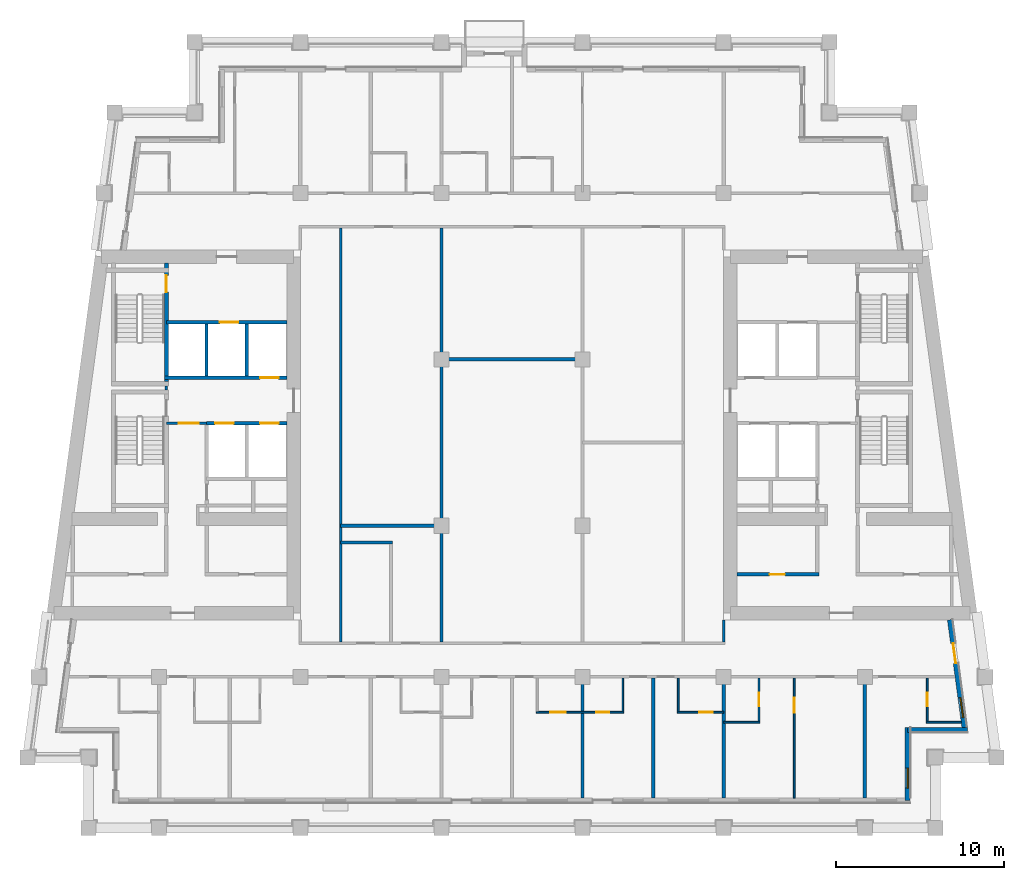
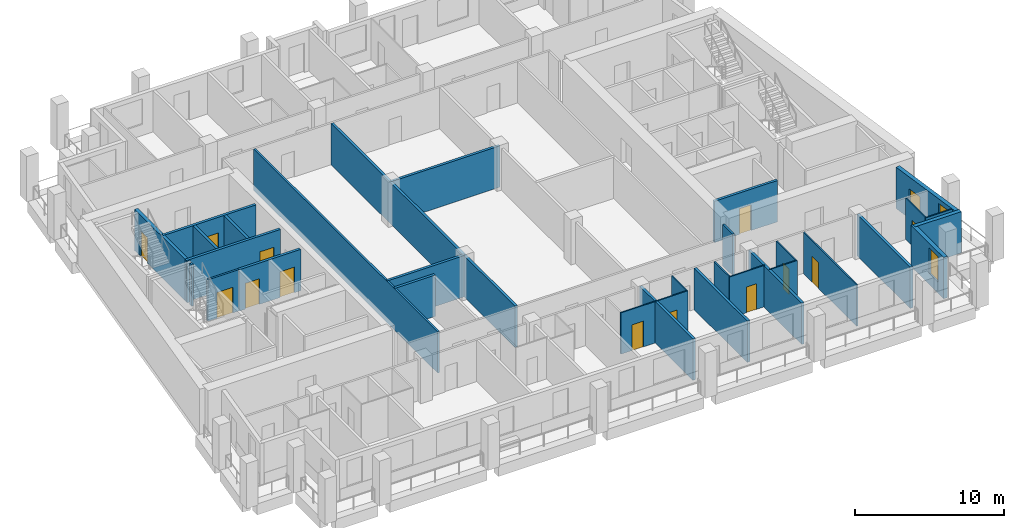
# One storey, part 4 of 12: 31 walls, 14 doors, 2 windows, 16 openings.
"""IFC4 building model written with IfcOpenShell, lengths in metres."""

from ifc_helpers import new_model, si_unit, direction, frame, frame_2d, origin, place, context, subcontext, project, spatial, rectangle, extrude, material, layer, layer_set, type_object, element, fill, save


model = new_model("IFC4")

# Units and contexts
model_context = context("Model", 3, precision=1e-05, world=origin(), true_north=direction((0.0, 1.0)))
body_context = subcontext(model_context, "Body", "Model", "MODEL_VIEW")
ifc_project = project(units=[si_unit("LENGTHUNIT", "METRE"), si_unit("AREAUNIT", "SQUARE_METRE"), si_unit("VOLUMEUNIT", "CUBIC_METRE"), si_unit("PLANEANGLEUNIT", "RADIAN"), si_unit("MASSUNIT", "GRAM", prefix="KILO")], contexts=[model_context])

# Site, building, storey
site_placement = place(None, origin())
site = spatial("IfcSite", under=ifc_project, at=site_placement, CompositionType="ELEMENT")
building_placement = place(site_placement, origin())
building = spatial("IfcBuilding", under=site, at=building_placement, Name="Candeia Pilgrim Tower and Theatre", CompositionType="ELEMENT")
storey_placement = place(building_placement, frame((0.0, 0.0, 217.0)))
storey = spatial("IfcBuildingStorey", under=building, at=storey_placement, Name="L52", CompositionType="ELEMENT", Elevation=217.0)

# Wall, opening, window
ifc_material_1 = material(Name="Ceramic block masonry", Category="masonry")
ifc_layer_1 = layer(ifc_material_1, 0.300048828125)
ifc_layer_set_1 = layer_set([ifc_layer_1], Name="EW1 glazing-line wall 300")
wall_type_1 = type_object("IfcWallType", Name="EW1 glazing-line wall 300", PredefinedType="SOLIDWALL", material=ifc_layer_set_1)
wall_1_placement = place(storey_placement, frame((136.949951171875, 99.64990234375, 0.0), z_axis=(0.0, 0.0, 1.0), x_axis=(0.0, 1.0, 0.0)))
wall_1 = element("IfcWall", 1, at=wall_1_placement, inside=storey, type_object=wall_type_1, Name="External wall L52-1.0", PredefinedType="SOLIDWALL", context=body_context, shape_type="SweptSolid", body=[
    extrude(rectangle(XDim=4.35009765625, YDim=0.300048828125, at=frame_2d((2.175048828125, 0.0))), origin(), (0.0, 0.0, 1.0), 3.3798828125),
])
opening_1_placement = place(wall_1_placement, frame((0.72509765625, 0.0, 0.89990234375)))
opening_1 = element("IfcOpeningElement", 2, at=opening_1_placement, cuts=wall_1, Name="Opening W-B", PredefinedType="OPENING", context=body_context, shape_type="SweptSolid", body=[
    extrude(rectangle(XDim=1.199951171875, YDim=2.10009765625, at=frame_2d((0.60009765625, 1.050048828125))), frame((0.0, 0.16015625, 0.0), z_axis=(0.0, -1.0, 0.0), x_axis=(1.0, 0.0, 0.0)), (0.0, 0.0, 1.0), 0.320068359375),
])
ifc_material_2 = material(Name="Aluminium framed double glazing", Category="aluminium")
window_type = type_object("IfcWindowType", Name="W-B window 1200x2100", PartitioningType="SINGLE_PANEL", PredefinedType="WINDOW", material=ifc_material_2)
window_1_placement = place(opening_1_placement, origin())
window_1 = element("IfcWindow", 3, at=window_1_placement, inside=storey, type_object=window_type, Name="Window W-B L52", OverallHeight=2.10009765625, OverallWidth=1.199951171875, PartitioningType="SINGLE_PANEL", PredefinedType="WINDOW", context=body_context, shape_type="SweptSolid", body=[
    extrude(rectangle(XDim=1.199951171875, YDim=2.10009765625, at=frame_2d((0.60009765625, 1.050048828125))), frame((0.0, 0.030029296875, 0.0), z_axis=(0.0, -1.0, 0.0), x_axis=(1.0, 0.0, 0.0)), (0.0, 0.0, 1.0), 0.06005859375),
])
fill(opening_1, window_1)

# Wall
wall_2_placement = place(storey_placement, frame((136.949951171875, 103.85009765625, 0.0), z_axis=(0.0, 0.0, 1.0), x_axis=(1.0, 0.0, 0.0)))
element("IfcWall", 4, at=wall_2_placement, inside=storey, type_object=wall_type_1, Name="External wall L52-2.0", PredefinedType="SOLIDWALL", context=body_context, shape_type="SweptSolid", body=[
    extrude(rectangle(XDim=3.569091796875, YDim=0.300048828125, at=frame_2d((1.78466796875, 0.0))), origin(), (0.0, 0.0, 1.0), 3.3798828125),
])

# Wall, openings, door, window
wall_3_placement = place(storey_placement, frame((140.34765625, 103.85009765625, 0.0), z_axis=(0.0, 0.0, 1.0), x_axis=(-0.133431549479, 0.991058031401, 0.0)))
wall_3 = element("IfcWall", 5, at=wall_3_placement, inside=storey, type_object=wall_type_1, Name="External wall L52-3.0", PredefinedType="SOLIDWALL", context=body_context, shape_type="SweptSolid", body=[
    extrude(rectangle(XDim=6.60888671875, YDim=0.300048828125, at=frame_2d((3.304443359375, 0.0))), origin(), (0.0, 0.0, 1.0), 3.3798828125),
])
opening_2_placement = place(wall_3_placement, frame((0.736572265625, 0.0, 0.89990234375)))
opening_2 = element("IfcOpeningElement", 6, at=opening_2_placement, cuts=wall_3, Name="Opening W-B", PredefinedType="OPENING", context=body_context, shape_type="SweptSolid", body=[
    extrude(rectangle(XDim=1.199951171875, YDim=2.10009765625, at=frame_2d((0.60009765625, 1.050048828125))), frame((0.0, 0.16015625, 0.0), z_axis=(0.0, -1.0, 0.0), x_axis=(1.0, 0.0, 0.0)), (0.0, 0.0, 1.0), 0.320068359375),
])
opening_3_placement = place(wall_3_placement, frame((3.990966796875, 0.0, 0.0)))
opening_3 = element("IfcOpeningElement", 7, at=opening_3_placement, cuts=wall_3, Name="Opening L52-ED495", PredefinedType="OPENING", context=body_context, shape_type="SweptSolid", body=[
    extrude(rectangle(XDim=1.199951171875, YDim=2.39990234375, at=frame_2d((0.60009765625, 1.199951171875))), frame((0.0, 0.16015625, 0.0), z_axis=(0.0, -1.0, 0.0), x_axis=(1.0, 0.0, 0.0)), (0.0, 0.0, 1.0), 0.320068359375),
])
ifc_material_3 = material(Name="Aluminium framed glazed door", Category="aluminium")
door_type_1 = type_object("IfcDoorType", Name="Loggia door 1200x2400", OperationType="DOUBLE_DOOR_SINGLE_SWING", PredefinedType="DOOR", material=ifc_material_3)
door_1_placement = place(opening_3_placement, origin())
door_1 = element("IfcDoor", 8, at=door_1_placement, inside=storey, type_object=door_type_1, Name="Loggia door L52-ED495", OperationType="DOUBLE_DOOR_SINGLE_SWING", OverallHeight=2.39990234375, OverallWidth=1.199951171875, PredefinedType="DOOR", context=body_context, shape_type="SweptSolid", body=[
    extrude(rectangle(XDim=1.199951171875, YDim=2.39990234375, at=frame_2d((0.60009765625, 1.199951171875))), frame((0.0, 0.02490234375, 0.0), z_axis=(0.0, -1.0, 0.0), x_axis=(1.0, 0.0, 0.0)), (0.0, 0.0, 1.0), 0.050048828125),
])
fill(opening_3, door_1)
window_2_placement = place(opening_2_placement, origin())
window_2 = element("IfcWindow", 9, at=window_2_placement, inside=storey, type_object=window_type, Name="Window W-B L52", OverallHeight=2.10009765625, OverallWidth=1.199951171875, PartitioningType="SINGLE_PANEL", PredefinedType="WINDOW", context=body_context, shape_type="SweptSolid", body=[
    extrude(rectangle(XDim=1.199951171875, YDim=2.10009765625, at=frame_2d((0.60009765625, 1.050048828125))), frame((0.0, 0.030029296875, 0.0), z_axis=(0.0, -1.0, 0.0), x_axis=(1.0, 0.0, 0.0)), (0.0, 0.0, 1.0), 0.06005859375),
])
fill(opening_2, window_2)

# Walls
ifc_material_4 = material(Name="Gypsum board partition on steel studs", Category="steel")
ifc_layer_2 = layer(ifc_material_4, 0.10009765625)
ifc_layer_set_2 = layer_set([ifc_layer_2], Name="PW-100 room partition")
wall_type_2 = type_object("IfcWallType", Name="PW-100 room partition", PredefinedType="PARTITIONING", material=ifc_layer_set_2)
wall_4_placement = place(storey_placement, frame((126.0, 104.300048828125, 0.0), z_axis=(0.0, 0.0, 1.0), x_axis=(1.0, 0.0, 0.0)))
element("IfcWall", 10, at=wall_4_placement, inside=storey, type_object=wall_type_2, Name="Room partition L52-002", PredefinedType="PARTITIONING", context=body_context, shape_type="SweptSolid", body=[
    extrude(rectangle(XDim=2.14990234375, YDim=0.10009765625, at=frame_2d((1.074951171875, 0.0))), origin(), (0.0, 0.0, 1.0), 3.3798828125),
])
wall_5_placement = place(storey_placement, frame((138.070068359375, 104.300048828125, 0.0), z_axis=(0.0, 0.0, 1.0), x_axis=(1.0, 0.0, 0.0)))
element("IfcWall", 11, at=wall_5_placement, inside=storey, type_object=wall_type_2, Name="Room partition L52-003", PredefinedType="PARTITIONING", context=body_context, shape_type="SweptSolid", body=[
    extrude(rectangle(XDim=2.07568359375, YDim=0.10009765625, at=frame_2d((1.037841796875, 0.0))), origin(), (0.0, 0.0, 1.0), 3.3798828125),
])

# Wall, openings, doors
wall_6_placement = place(storey_placement, frame((114.85009765625, 104.89990234375, 0.0), z_axis=(0.0, 0.0, 1.0), x_axis=(1.0, 0.0, 0.0)))
wall_6 = element("IfcWall", 12, at=wall_6_placement, inside=storey, type_object=wall_type_2, Name="Room partition L52-007", PredefinedType="PARTITIONING", context=body_context, shape_type="SweptSolid", body=[
    extrude(rectangle(XDim=5.199951171875, YDim=0.10009765625, at=frame_2d((2.60009765625, 0.0))), origin(), (0.0, 0.0, 1.0), 3.3798828125),
])
opening_4_placement = place(wall_6_placement, frame((0.840087890625, 0.0, 0.0)))
opening_4 = element("IfcOpeningElement", 13, at=opening_4_placement, cuts=wall_6, Name="Opening L52-D024", PredefinedType="OPENING", context=body_context, shape_type="SweptSolid", body=[
    extrude(rectangle(XDim=0.89990234375, YDim=2.10009765625, at=frame_2d((0.449951171875, 1.050048828125))), frame((0.0, 0.06005859375, 0.0), z_axis=(0.0, -1.0, 0.0), x_axis=(1.0, 0.0, 0.0)), (0.0, 0.0, 1.0), 0.1201171875),
])
opening_5_placement = place(wall_6_placement, frame((3.550048828125, 0.0, 0.0)))
opening_5 = element("IfcOpeningElement", 14, at=opening_5_placement, cuts=wall_6, Name="Opening L52-D026", PredefinedType="OPENING", context=body_context, shape_type="SweptSolid", body=[
    extrude(rectangle(XDim=0.800048828125, YDim=2.10009765625, at=frame_2d((0.39990234375, 1.050048828125))), frame((0.0, 0.06005859375, 0.0), z_axis=(0.0, -1.0, 0.0), x_axis=(1.0, 0.0, 0.0)), (0.0, 0.0, 1.0), 0.1201171875),
])
ifc_material_5 = material(Name="Timber door leaf", Category="wood")
door_type_2 = type_object("IfcDoorType", Name="D-800", OperationType="NOTDEFINED", PredefinedType="DOOR", material=ifc_material_5)
door_2_placement = place(opening_5_placement, origin())
door_2 = element("IfcDoor", 15, at=door_2_placement, inside=storey, type_object=door_type_2, Name="Door L52-D026", OperationType="SINGLE_SWING_RIGHT", OverallHeight=2.10009765625, OverallWidth=0.800048828125, PredefinedType="DOOR", context=body_context, shape_type="SweptSolid", body=[
    extrude(rectangle(XDim=0.800048828125, YDim=2.10009765625, at=frame_2d((0.39990234375, 1.050048828125))), frame((0.0, 0.02490234375, 0.0), z_axis=(0.0, -1.0, 0.0), x_axis=(1.0, 0.0, 0.0)), (0.0, 0.0, 1.0), 0.050048828125),
])
fill(opening_5, door_2)
door_type_3 = type_object("IfcDoorType", Name="D-900", OperationType="NOTDEFINED", PredefinedType="DOOR", material=ifc_material_5)
door_3_placement = place(opening_4_placement, origin())
door_3 = element("IfcDoor", 16, at=door_3_placement, inside=storey, type_object=door_type_3, Name="Door L52-D024", OperationType="SINGLE_SWING_RIGHT", OverallHeight=2.10009765625, OverallWidth=0.89990234375, PredefinedType="DOOR", context=body_context, shape_type="SweptSolid", body=[
    extrude(rectangle(XDim=0.89990234375, YDim=2.10009765625, at=frame_2d((0.449951171875, 1.050048828125))), frame((0.0, 0.02490234375, 0.0), z_axis=(0.0, -1.0, 0.0), x_axis=(1.0, 0.0, 0.0)), (0.0, 0.0, 1.0), 0.050048828125),
])
fill(opening_4, door_3)

# Wall, opening, door
wall_7_placement = place(storey_placement, frame((123.25, 104.89990234375, 0.0), z_axis=(0.0, 0.0, 1.0), x_axis=(1.0, 0.0, 0.0)))
wall_7 = element("IfcWall", 17, at=wall_7_placement, inside=storey, type_object=wall_type_2, Name="Room partition L52-008", PredefinedType="PARTITIONING", context=body_context, shape_type="SweptSolid", body=[
    extrude(rectangle(XDim=2.75, YDim=0.10009765625, at=frame_2d((1.375, 0.0))), origin(), (0.0, 0.0, 1.0), 3.3798828125),
])
opening_6_placement = place(wall_7_placement, frame((1.300048828125, 0.0, 0.0)))
opening_6 = element("IfcOpeningElement", 18, at=opening_6_placement, cuts=wall_7, Name="Opening L52-D028", PredefinedType="OPENING", context=body_context, shape_type="SweptSolid", body=[
    extrude(rectangle(XDim=0.800048828125, YDim=2.10009765625, at=frame_2d((0.39990234375, 1.050048828125))), frame((0.0, 0.06005859375, 0.0), z_axis=(0.0, -1.0, 0.0), x_axis=(1.0, 0.0, 0.0)), (0.0, 0.0, 1.0), 0.1201171875),
])
door_4_placement = place(opening_6_placement, origin())
door_4 = element("IfcDoor", 19, at=door_4_placement, inside=storey, type_object=door_type_2, Name="Door L52-D028", OperationType="SINGLE_SWING_RIGHT", OverallHeight=2.10009765625, OverallWidth=0.800048828125, PredefinedType="DOOR", context=body_context, shape_type="SweptSolid", body=[
    extrude(rectangle(XDim=0.800048828125, YDim=2.10009765625, at=frame_2d((0.39990234375, 1.050048828125))), frame((0.0, 0.02490234375, 0.0), z_axis=(0.0, -1.0, 0.0), x_axis=(1.0, 0.0, 0.0)), (0.0, 0.0, 1.0), 0.050048828125),
])
fill(opening_6, door_4)

# Walls
for number, where, z_axis, x_axis, name in (
    (20, (120.0, 104.949951171875, 0.0), (0.0, 0.0, 1.0), (0.0, 1.0, 0.0), "Room partition L52-093"),
    (21, (123.300048828125, 104.949951171875, 0.0), (0.0, 0.0, 1.0), (0.0, 1.0, 0.0), "Room partition L52-095"),
):
    element("IfcWall", number, at=place(storey_placement, frame(where, z_axis=z_axis, x_axis=x_axis)), inside=storey, type_object=wall_type_2, Name=name, PredefinedType="PARTITIONING", context=body_context, shape_type="SweptSolid", body=[
        extrude(rectangle(XDim=1.97509765625, YDim=0.10009765625, at=frame_2d((0.987548828125, 0.0))), origin(), (0.0, 0.0, 1.0), 3.3798828125),
    ])

# Wall, opening, door
wall_8_placement = place(storey_placement, frame((128.10009765625, 104.35009765625, 0.0), z_axis=(0.0, 0.0, 1.0), x_axis=(0.0, 1.0, 0.0)))
wall_8 = element("IfcWall", 22, at=wall_8_placement, inside=storey, type_object=wall_type_2, Name="Room partition L52-101", PredefinedType="PARTITIONING", context=body_context, shape_type="SweptSolid", body=[
    extrude(rectangle(XDim=2.574951171875, YDim=0.10009765625, at=frame_2d((1.28759765625, 0.0))), origin(), (0.0, 0.0, 1.0), 3.3798828125),
])
opening_7_placement = place(wall_8_placement, frame((0.89990234375, 0.0, 0.0)))
opening_7 = element("IfcOpeningElement", 23, at=opening_7_placement, cuts=wall_8, Name="Opening L52-D031", PredefinedType="OPENING", context=body_context, shape_type="SweptSolid", body=[
    extrude(rectangle(XDim=0.800048828125, YDim=2.10009765625, at=frame_2d((0.39990234375, 1.050048828125))), frame((0.0, 0.06005859375, 0.0), z_axis=(0.0, -1.0, 0.0), x_axis=(1.0, 0.0, 0.0)), (0.0, 0.0, 1.0), 0.1201171875),
])
door_5_placement = place(opening_7_placement, origin())
door_5 = element("IfcDoor", 24, at=door_5_placement, inside=storey, type_object=door_type_2, Name="Door L52-D031", OperationType="SINGLE_SWING_LEFT", OverallHeight=2.10009765625, OverallWidth=0.800048828125, PredefinedType="DOOR", context=body_context, shape_type="SweptSolid", body=[
    extrude(rectangle(XDim=0.800048828125, YDim=2.10009765625, at=frame_2d((0.39990234375, 1.050048828125))), frame((0.0, 0.02490234375, 0.0), z_axis=(0.0, -1.0, 0.0), x_axis=(1.0, 0.0, 0.0)), (0.0, 0.0, 1.0), 0.050048828125),
])
fill(opening_7, door_5)

wall_9_placement = place(storey_placement, frame((130.199951171875, 99.7900390625, 0.0), z_axis=(0.0, 0.0, 1.0), x_axis=(0.0, 1.0, 0.0)))
wall_9 = element("IfcWall", 25, at=wall_9_placement, inside=storey, type_object=wall_type_2, Name="Room partition L52-105", PredefinedType="PARTITIONING", context=body_context, shape_type="SweptSolid", body=[
    extrude(rectangle(XDim=7.135009765625, YDim=0.10009765625, at=frame_2d((3.5673828125, 0.0))), origin(), (0.0, 0.0, 1.0), 3.3798828125),
])
opening_8_placement = place(wall_9_placement, frame((5.074951171875, 0.0, 0.0)))
opening_8 = element("IfcOpeningElement", 26, at=opening_8_placement, cuts=wall_9, Name="Opening L52-D030", PredefinedType="OPENING", context=body_context, shape_type="SweptSolid", body=[
    extrude(rectangle(XDim=0.89990234375, YDim=2.10009765625, at=frame_2d((0.449951171875, 1.050048828125))), frame((0.0, 0.06005859375, 0.0), z_axis=(0.0, -1.0, 0.0), x_axis=(1.0, 0.0, 0.0)), (0.0, 0.0, 1.0), 0.1201171875),
])
door_6_placement = place(opening_8_placement, origin())
door_6 = element("IfcDoor", 27, at=door_6_placement, inside=storey, type_object=door_type_3, Name="Door L52-D030", OperationType="SINGLE_SWING_RIGHT", OverallHeight=2.10009765625, OverallWidth=0.89990234375, PredefinedType="DOOR", context=body_context, shape_type="SweptSolid", body=[
    extrude(rectangle(XDim=0.89990234375, YDim=2.10009765625, at=frame_2d((0.449951171875, 1.050048828125))), frame((0.0, 0.02490234375, 0.0), z_axis=(0.0, -1.0, 0.0), x_axis=(1.0, 0.0, 0.0)), (0.0, 0.0, 1.0), 0.050048828125),
])
fill(opening_8, door_6)

wall_10_placement = place(storey_placement, frame((138.1201171875, 104.35009765625, 0.0), z_axis=(0.0, 0.0, 1.0), x_axis=(0.0, 1.0, 0.0)))
wall_10 = element("IfcWall", 28, at=wall_10_placement, inside=storey, type_object=wall_type_2, Name="Room partition L52-118", PredefinedType="PARTITIONING", context=body_context, shape_type="SweptSolid", body=[
    extrude(rectangle(XDim=2.574951171875, YDim=0.10009765625, at=frame_2d((1.28759765625, 0.0))), origin(), (0.0, 0.0, 1.0), 3.3798828125),
])
opening_9_placement = place(wall_10_placement, frame((0.89990234375, 0.0, 0.0)))
opening_9 = element("IfcOpeningElement", 29, at=opening_9_placement, cuts=wall_10, Name="Opening L52-D033", PredefinedType="OPENING", context=body_context, shape_type="SweptSolid", body=[
    extrude(rectangle(XDim=0.800048828125, YDim=2.10009765625, at=frame_2d((0.39990234375, 1.050048828125))), frame((0.0, 0.06005859375, 0.0), z_axis=(0.0, -1.0, 0.0), x_axis=(1.0, 0.0, 0.0)), (0.0, 0.0, 1.0), 0.1201171875),
])
door_7_placement = place(opening_9_placement, origin())
door_7 = element("IfcDoor", 30, at=door_7_placement, inside=storey, type_object=door_type_2, Name="Door L52-D033", OperationType="SINGLE_SWING_LEFT", OverallHeight=2.10009765625, OverallWidth=0.800048828125, PredefinedType="DOOR", context=body_context, shape_type="SweptSolid", body=[
    extrude(rectangle(XDim=0.800048828125, YDim=2.10009765625, at=frame_2d((0.39990234375, 1.050048828125))), frame((0.0, 0.02490234375, 0.0), z_axis=(0.0, -1.0, 0.0), x_axis=(1.0, 0.0, 0.0)), (0.0, 0.0, 1.0), 0.050048828125),
])
fill(opening_9, door_7)

ifc_layer_3 = layer(ifc_material_4, 0.14990234375)
ifc_layer_set_3 = layer_set([ifc_layer_3], Name="PW-150 lobby wall")
wall_type_3 = type_object("IfcWallType", Name="PW-150 lobby wall", PredefinedType="PARTITIONING", material=ifc_layer_set_3)
wall_11_placement = place(storey_placement, frame((92.826904296875, 122.10009765625, 0.0), z_axis=(0.0, 0.0, 1.0), x_axis=(1.0, 0.0, 0.0)))
wall_11 = element("IfcWall", 31, at=wall_11_placement, inside=storey, type_object=wall_type_3, Name="Lobby wall L52-028", PredefinedType="PARTITIONING", context=body_context, shape_type="SweptSolid", body=[
    extrude(rectangle(XDim=2.400146484375, YDim=0.14990234375, at=frame_2d((1.2001953125, 0.0))), origin(), (0.0, 0.0, 1.0), 3.3798828125),
])
opening_10_placement = place(wall_11_placement, frame((0.72509765625, 0.0, 0.0)))
opening_10 = element("IfcOpeningElement", 32, at=opening_10_placement, cuts=wall_11, Name="Opening L52-D001", PredefinedType="OPENING", context=body_context, shape_type="SweptSolid", body=[
    extrude(rectangle(XDim=1.199951171875, YDim=2.10009765625, at=frame_2d((0.60009765625, 1.050048828125))), frame((0.0, 0.0849609375, 0.0), z_axis=(0.0, -1.0, 0.0), x_axis=(1.0, 0.0, 0.0)), (0.0, 0.0, 1.0), 0.169921875),
])
ifc_material_6 = material(Name="Steel fire door set", Category="steel")
door_type_4 = type_object("IfcDoorType", Name="D-1200-FD60", OperationType="NOTDEFINED", PredefinedType="DOOR", material=ifc_material_6)
door_8_placement = place(opening_10_placement, origin())
door_8 = element("IfcDoor", 33, at=door_8_placement, inside=storey, type_object=door_type_4, Name="Door L52-D001", OperationType="SINGLE_SWING_LEFT", OverallHeight=2.10009765625, OverallWidth=1.199951171875, PredefinedType="DOOR", context=body_context, shape_type="SweptSolid", body=[
    extrude(rectangle(XDim=1.199951171875, YDim=2.10009765625, at=frame_2d((0.60009765625, 1.050048828125))), frame((0.0, 0.02490234375, 0.0), z_axis=(0.0, -1.0, 0.0), x_axis=(1.0, 0.0, 0.0)), (0.0, 0.0, 1.0), 0.050048828125),
])
fill(opening_10, door_8)

# Walls
wall_12_placement = place(storey_placement, frame((92.826904296875, 124.074951171875, 0.0), z_axis=(0.0, 0.0, 1.0), x_axis=(0.0, 1.0, 0.0)))
element("IfcWall", 34, at=wall_12_placement, inside=storey, type_object=wall_type_3, Name="Lobby wall L52-057", PredefinedType="PARTITIONING", context=body_context, shape_type="SweptSolid", body=[
    extrude(rectangle(XDim=0.25, YDim=0.14990234375, at=frame_2d((0.125, 0.0))), origin(), (0.0, 0.0, 1.0), 3.3798828125),
])
ifc_layer_4 = layer(ifc_material_4, 0.14990234375)
ifc_layer_set_4 = layer_set([ifc_layer_4], Name="PW-150 unit wall")
wall_type_4 = type_object("IfcWallType", Name="PW-150 unit wall", PredefinedType="PARTITIONING", material=ifc_layer_set_4)
wall_13_placement = place(storey_placement, frame((103.199951171875, 109.074951171875, 0.0), z_axis=(0.0, 0.0, 1.0), x_axis=(0.0, 1.0, 0.0)))
element("IfcWall", 35, at=wall_13_placement, inside=storey, type_object=wall_type_4, Name="Unit wall L52-075", PredefinedType="PARTITIONING", context=body_context, shape_type="SweptSolid", body=[
    extrude(rectangle(XDim=24.650146484375, YDim=0.14990234375, at=frame_2d((12.3251953125, 0.0))), origin(), (0.0, 0.0, 1.0), 3.3798828125),
])
wall_14_placement = place(storey_placement, frame((126.0, 109.074951171875, 0.0), z_axis=(0.0, 0.0, 1.0), x_axis=(0.0, 1.0, 0.0)))
element("IfcWall", 36, at=wall_14_placement, inside=storey, type_object=wall_type_4, Name="Unit wall L52-099", PredefinedType="PARTITIONING", context=body_context, shape_type="SweptSolid", body=[
    extrude(rectangle(XDim=1.324951171875, YDim=0.14990234375, at=frame_2d((0.66259765625, 0.0))), origin(), (0.0, 0.0, 1.0), 3.3798828125),
])
ifc_layer_5 = layer(ifc_material_4, 0.199951171875)
ifc_layer_set_5 = layer_set([ifc_layer_5], Name="PW-200 party wall")
wall_type_5 = type_object("IfcWallType", Name="PW-200 party wall", PredefinedType="PARTITIONING", material=ifc_layer_set_5)
wall_15_placement = place(storey_placement, frame((103.199951171875, 115.0, 0.0), z_axis=(0.0, 0.0, 1.0), x_axis=(1.0, 0.0, 0.0)))
element("IfcWall", 37, at=wall_15_placement, inside=storey, type_object=wall_type_5, Name="Party wall L52-015", PredefinedType="PARTITIONING", context=body_context, shape_type="SweptSolid", body=[
    extrude(rectangle(XDim=3.10009765625, YDim=0.199951171875, at=frame_2d((1.550048828125, 0.0))), origin(), (0.0, 0.0, 1.0), 3.3798828125),
])
wall_16_placement = place(storey_placement, frame((103.199951171875, 116.0, 0.0), z_axis=(0.0, 0.0, 1.0), x_axis=(1.0, 0.0, 0.0)))
element("IfcWall", 38, at=wall_16_placement, inside=storey, type_object=wall_type_5, Name="Party wall L52-016", PredefinedType="PARTITIONING", context=body_context, shape_type="SweptSolid", body=[
    extrude(rectangle(XDim=6.0, YDim=0.199951171875, at=frame_2d((3.0, 0.0))), origin(), (0.0, 0.0, 1.0), 3.3798828125),
])
wall_17_placement = place(storey_placement, frame((109.199951171875, 125.89990234375, 0.0), z_axis=(0.0, 0.0, 1.0), x_axis=(1.0, 0.0, 0.0)))
element("IfcWall", 39, at=wall_17_placement, inside=storey, type_object=wall_type_5, Name="Party wall L52-037", PredefinedType="PARTITIONING", context=body_context, shape_type="SweptSolid", body=[
    extrude(rectangle(XDim=8.400146484375, YDim=0.199951171875, at=frame_2d((4.2001953125, 0.0))), origin(), (0.0, 0.0, 1.0), 3.3798828125),
])
wall_18_placement = place(storey_placement, frame((109.199951171875, 109.074951171875, 0.0), z_axis=(0.0, 0.0, 1.0), x_axis=(0.0, 1.0, 0.0)))
element("IfcWall", 40, at=wall_18_placement, inside=storey, type_object=wall_type_5, Name="Party wall L52-082", PredefinedType="PARTITIONING", context=body_context, shape_type="SweptSolid", body=[
    extrude(rectangle(XDim=24.650146484375, YDim=0.199951171875, at=frame_2d((12.3251953125, 0.0))), origin(), (0.0, 0.0, 1.0), 3.3798828125),
])
for number, where, z_axis, x_axis, name in (
    (41, (117.60009765625, 99.7900390625, 0.0), (0.0, 0.0, 1.0), (0.0, 1.0, 0.0), "Party wall L52-091"),
    (42, (121.800048828125, 99.7900390625, 0.0), (0.0, 0.0, 1.0), (0.0, 1.0, 0.0), "Party wall L52-094"),
    (43, (126.0, 99.7900390625, 0.0), (0.0, 0.0, 1.0), (0.0, 1.0, 0.0), "Party wall L52-097"),
    (44, (134.39990234375, 99.7900390625, 0.0), (0.0, 0.0, 1.0), (0.0, 1.0, 0.0), "Party wall L52-115"),
):
    element("IfcWall", number, at=place(storey_placement, frame(where, z_axis=z_axis, x_axis=x_axis)), inside=storey, type_object=wall_type_5, Name=name, PredefinedType="PARTITIONING", context=body_context, shape_type="SweptSolid", body=[
        extrude(rectangle(XDim=7.135009765625, YDim=0.199951171875, at=frame_2d((3.5673828125, 0.0))), origin(), (0.0, 0.0, 1.0), 3.3798828125),
    ])

# Wall, opening, door
ifc_material_7 = material(Name="Concrete C40/50", Category="concrete")
ifc_layer_6 = layer(ifc_material_7, 0.199951171875)
ifc_layer_set_6 = layer_set([ifc_layer_6], Name="SW-200 shaft wall")
wall_type_6 = type_object("IfcWallType", Name="SW-200 shaft wall", PredefinedType="PARTITIONING", material=ifc_layer_set_6)
wall_19_placement = place(storey_placement, frame((126.800048828125, 113.10009765625, 0.0), z_axis=(0.0, 0.0, 1.0), x_axis=(1.0, 0.0, 0.0)))
wall_19 = element("IfcWall", 45, at=wall_19_placement, inside=storey, type_object=wall_type_6, Name="Shaft wall L52-013", PredefinedType="PARTITIONING", context=body_context, shape_type="SweptSolid", body=[
    extrude(rectangle(XDim=4.873046875, YDim=0.199951171875, at=frame_2d((2.4365234375, 0.0))), origin(), (0.0, 0.0, 1.0), 3.3798828125),
])
opening_11_placement = place(wall_19_placement, frame((1.93603515625, 0.0, 0.0)))
opening_11 = element("IfcOpeningElement", 46, at=opening_11_placement, cuts=wall_19, Name="Opening L52-D012", PredefinedType="OPENING", context=body_context, shape_type="SweptSolid", body=[
    extrude(rectangle(XDim=0.89990234375, YDim=2.10009765625, at=frame_2d((0.449951171875, 1.050048828125))), frame((0.0, 0.10986328125, 0.0), z_axis=(0.0, -1.0, 0.0), x_axis=(1.0, 0.0, 0.0)), (0.0, 0.0, 1.0), 0.219970703125),
])
door_type_5 = type_object("IfcDoorType", Name="D-900-FD60", OperationType="NOTDEFINED", PredefinedType="DOOR", material=ifc_material_6)
door_9_placement = place(opening_11_placement, origin())
door_9 = element("IfcDoor", 47, at=door_9_placement, inside=storey, type_object=door_type_5, Name="Door L52-D012", OperationType="SINGLE_SWING_RIGHT", OverallHeight=2.10009765625, OverallWidth=0.89990234375, PredefinedType="DOOR", context=body_context, shape_type="SweptSolid", body=[
    extrude(rectangle(XDim=0.89990234375, YDim=2.10009765625, at=frame_2d((0.449951171875, 1.050048828125))), frame((0.0, 0.02490234375, 0.0), z_axis=(0.0, -1.0, 0.0), x_axis=(1.0, 0.0, 0.0)), (0.0, 0.0, 1.0), 0.050048828125),
])
fill(opening_11, door_9)

# Wall, openings, doors
wall_20_placement = place(storey_placement, frame((95.22705078125, 122.10009765625, 0.0), z_axis=(0.0, 0.0, 1.0), x_axis=(1.0, 0.0, 0.0)))
wall_20 = element("IfcWall", 48, at=wall_20_placement, inside=storey, type_object=wall_type_6, Name="Shaft wall L52-026", PredefinedType="PARTITIONING", context=body_context, shape_type="SweptSolid", body=[
    extrude(rectangle(XDim=4.77294921875, YDim=0.199951171875, at=frame_2d((2.386474609375, 0.0))), origin(), (0.0, 0.0, 1.0), 3.3798828125),
])
opening_12_placement = place(wall_20_placement, frame((0.4970703125, 0.0, 0.0)))
opening_12 = element("IfcOpeningElement", 49, at=opening_12_placement, cuts=wall_20, Name="Opening L52-LD01", PredefinedType="OPENING", context=body_context, shape_type="SweptSolid", body=[
    extrude(rectangle(XDim=1.10009765625, YDim=2.10009765625, at=frame_2d((0.550048828125, 1.050048828125))), frame((0.0, 0.10986328125, 0.0), z_axis=(0.0, -1.0, 0.0), x_axis=(1.0, 0.0, 0.0)), (0.0, 0.0, 1.0), 0.219970703125),
])
opening_13_placement = place(wall_20_placement, frame((3.176025390625, 0.0, 0.0)))
opening_13 = element("IfcOpeningElement", 50, at=opening_13_placement, cuts=wall_20, Name="Opening L52-LD02", PredefinedType="OPENING", context=body_context, shape_type="SweptSolid", body=[
    extrude(rectangle(XDim=1.10009765625, YDim=2.10009765625, at=frame_2d((0.550048828125, 1.050048828125))), frame((0.0, 0.10986328125, 0.0), z_axis=(0.0, -1.0, 0.0), x_axis=(1.0, 0.0, 0.0)), (0.0, 0.0, 1.0), 0.219970703125),
])
ifc_material_8 = material(Name="Glazed aluminium landing door", Category="aluminium")
door_type_6 = type_object("IfcDoorType", Name="LD-1100-EI120", OperationType="SLIDING_TO_LEFT", PredefinedType="DOOR", material=ifc_material_8)
door_10_placement = place(opening_12_placement, origin())
door_10 = element("IfcDoor", 51, at=door_10_placement, inside=storey, type_object=door_type_6, Name="Landing door 01 L52", OperationType="SLIDING_TO_LEFT", OverallHeight=2.10009765625, OverallWidth=1.10009765625, PredefinedType="DOOR", context=body_context, shape_type="SweptSolid", body=[
    extrude(rectangle(XDim=1.10009765625, YDim=2.10009765625, at=frame_2d((0.550048828125, 1.050048828125))), frame((0.0, 0.02490234375, 0.0), z_axis=(0.0, -1.0, 0.0), x_axis=(1.0, 0.0, 0.0)), (0.0, 0.0, 1.0), 0.050048828125),
])
fill(opening_12, door_10)
door_11_placement = place(opening_13_placement, origin())
door_11 = element("IfcDoor", 52, at=door_11_placement, inside=storey, type_object=door_type_6, Name="Landing door 02 L52", OperationType="SLIDING_TO_LEFT", OverallHeight=2.10009765625, OverallWidth=1.10009765625, PredefinedType="DOOR", context=body_context, shape_type="SweptSolid", body=[
    extrude(rectangle(XDim=1.10009765625, YDim=2.10009765625, at=frame_2d((0.550048828125, 1.050048828125))), frame((0.0, 0.02490234375, 0.0), z_axis=(0.0, -1.0, 0.0), x_axis=(1.0, 0.0, 0.0)), (0.0, 0.0, 1.0), 0.050048828125),
])
fill(opening_13, door_11)

# Wall, opening, door
wall_21_placement = place(storey_placement, frame((92.701904296875, 124.800048828125, 0.0), z_axis=(0.0, 0.0, 1.0), x_axis=(1.0, 0.0, 0.0)))
wall_21 = element("IfcWall", 53, at=wall_21_placement, inside=storey, type_object=wall_type_6, Name="Shaft wall L52-034", PredefinedType="PARTITIONING", context=body_context, shape_type="SweptSolid", body=[
    extrude(rectangle(XDim=7.298095703125, YDim=0.199951171875, at=frame_2d((3.64892578125, 0.0))), origin(), (0.0, 0.0, 1.0), 3.3798828125),
])
opening_14_placement = place(wall_21_placement, frame((5.699951171875, 0.0, 0.0)))
opening_14 = element("IfcOpeningElement", 54, at=opening_14_placement, cuts=wall_21, Name="Opening L52-LD04", PredefinedType="OPENING", context=body_context, shape_type="SweptSolid", body=[
    extrude(rectangle(XDim=1.10009765625, YDim=2.10009765625, at=frame_2d((0.550048828125, 1.050048828125))), frame((0.0, 0.10986328125, 0.0), z_axis=(0.0, -1.0, 0.0), x_axis=(1.0, 0.0, 0.0)), (0.0, 0.0, 1.0), 0.219970703125),
])
door_12_placement = place(opening_14_placement, origin())
door_12 = element("IfcDoor", 55, at=door_12_placement, inside=storey, type_object=door_type_6, Name="Landing door 04 L52", OperationType="SLIDING_TO_LEFT", OverallHeight=2.10009765625, OverallWidth=1.10009765625, PredefinedType="DOOR", context=body_context, shape_type="SweptSolid", body=[
    extrude(rectangle(XDim=1.10009765625, YDim=2.10009765625, at=frame_2d((0.550048828125, 1.050048828125))), frame((0.0, 0.02490234375, 0.0), z_axis=(0.0, -1.0, 0.0), x_axis=(1.0, 0.0, 0.0)), (0.0, 0.0, 1.0), 0.050048828125),
])
fill(opening_14, door_12)

wall_22_placement = place(storey_placement, frame((92.826904296875, 128.10009765625, 0.0), z_axis=(0.0, 0.0, 1.0), x_axis=(1.0, 0.0, 0.0)))
wall_22 = element("IfcWall", 56, at=wall_22_placement, inside=storey, type_object=wall_type_6, Name="Shaft wall L52-038", PredefinedType="PARTITIONING", context=body_context, shape_type="SweptSolid", body=[
    extrude(rectangle(XDim=7.173095703125, YDim=0.199951171875, at=frame_2d((3.58642578125, 0.0))), origin(), (0.0, 0.0, 1.0), 3.3798828125),
])
opening_15_placement = place(wall_22_placement, frame((3.18408203125, 0.0, 0.0)))
opening_15 = element("IfcOpeningElement", 57, at=opening_15_placement, cuts=wall_22, Name="Opening L52-LD03", PredefinedType="OPENING", context=body_context, shape_type="SweptSolid", body=[
    extrude(rectangle(XDim=1.10009765625, YDim=2.10009765625, at=frame_2d((0.550048828125, 1.050048828125))), frame((0.0, 0.10986328125, 0.0), z_axis=(0.0, -1.0, 0.0), x_axis=(1.0, 0.0, 0.0)), (0.0, 0.0, 1.0), 0.219970703125),
])
door_13_placement = place(opening_15_placement, origin())
door_13 = element("IfcDoor", 58, at=door_13_placement, inside=storey, type_object=door_type_6, Name="Landing door 03 L52", OperationType="SLIDING_TO_LEFT", OverallHeight=2.10009765625, OverallWidth=1.10009765625, PredefinedType="DOOR", context=body_context, shape_type="SweptSolid", body=[
    extrude(rectangle(XDim=1.10009765625, YDim=2.10009765625, at=frame_2d((0.550048828125, 1.050048828125))), frame((0.0, 0.02490234375, 0.0), z_axis=(0.0, -1.0, 0.0), x_axis=(1.0, 0.0, 0.0)), (0.0, 0.0, 1.0), 0.050048828125),
])
fill(opening_15, door_13)

# Walls
for number, where, z_axis, x_axis, name in (
    (59, (95.218017578125, 124.89990234375, 0.0), (0.0, 0.0, 1.0), (0.0, 1.0, 0.0), "Shaft wall L52-063"),
    (60, (97.60888671875, 124.89990234375, 0.0), (0.0, 0.0, 1.0), (0.0, 1.0, 0.0), "Shaft wall L52-068"),
):
    element("IfcWall", number, at=place(storey_placement, frame(where, z_axis=z_axis, x_axis=x_axis)), inside=storey, type_object=wall_type_6, Name=name, PredefinedType="PARTITIONING", context=body_context, shape_type="SweptSolid", body=[
        extrude(rectangle(XDim=3.10009765625, YDim=0.199951171875, at=frame_2d((1.550048828125, 0.0))), origin(), (0.0, 0.0, 1.0), 3.3798828125),
    ])

# Wall, opening, door
ifc_layer_7 = layer(ifc_material_7, 0.25)
ifc_layer_set_7 = layer_set([ifc_layer_7], Name="SW-250 stair wall")
wall_type_7 = type_object("IfcWallType", Name="SW-250 stair wall", PredefinedType="PARTITIONING", material=ifc_layer_set_7)
wall_23_placement = place(storey_placement, frame((92.826904296875, 124.574951171875, 0.0), z_axis=(0.0, 0.0, 1.0), x_axis=(0.0, 1.0, 0.0)))
wall_23 = element("IfcWall", 61, at=wall_23_placement, inside=storey, type_object=wall_type_7, Name="Stair wall L52-059", PredefinedType="PARTITIONING", context=body_context, shape_type="SweptSolid", body=[
    extrude(rectangle(XDim=7.054931640625, YDim=0.25, at=frame_2d((3.52734375, 0.0))), origin(), (0.0, 0.0, 1.0), 3.3798828125),
])
opening_16_placement = place(wall_23_placement, frame((5.324951171875, 0.0, 0.0)))
opening_16 = element("IfcOpeningElement", 62, at=opening_16_placement, cuts=wall_23, Name="Opening L52-D003", PredefinedType="OPENING", context=body_context, shape_type="SweptSolid", body=[
    extrude(rectangle(XDim=1.0, YDim=2.10009765625, at=frame_2d((0.5, 1.050048828125))), frame((0.0, 0.135009765625, 0.0), z_axis=(0.0, -1.0, 0.0), x_axis=(1.0, 0.0, 0.0)), (0.0, 0.0, 1.0), 0.27001953125),
])
door_type_7 = type_object("IfcDoorType", Name="D-1000-FD60", OperationType="NOTDEFINED", PredefinedType="DOOR", material=ifc_material_6)
door_14_placement = place(opening_16_placement, origin())
door_14 = element("IfcDoor", 63, at=door_14_placement, inside=storey, type_object=door_type_7, Name="Door L52-D003", OperationType="SINGLE_SWING_LEFT", OverallHeight=2.10009765625, OverallWidth=1.0, PredefinedType="DOOR", context=body_context, shape_type="SweptSolid", body=[
    extrude(rectangle(XDim=1.0, YDim=2.10009765625, at=frame_2d((0.5, 1.050048828125))), frame((0.0, 0.02490234375, 0.0), z_axis=(0.0, -1.0, 0.0), x_axis=(1.0, 0.0, 0.0)), (0.0, 0.0, 1.0), 0.050048828125),
])
fill(opening_16, door_14)

save(model, "model.ifc")
